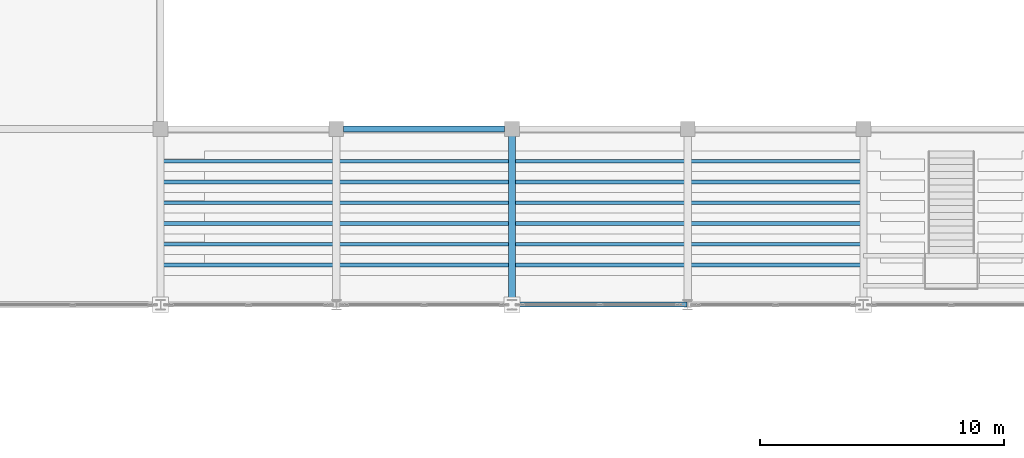
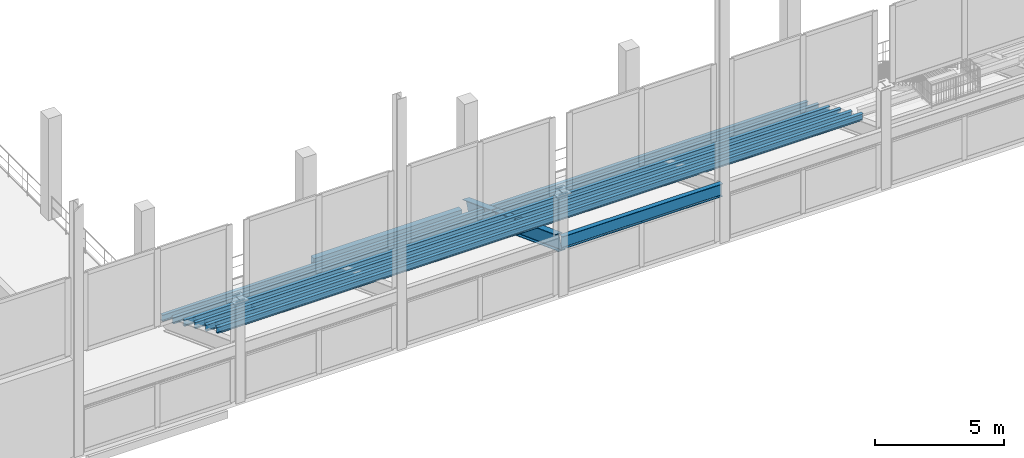
# One storey, part 21 of 120: 9 beams.
"""IFC4 building model written with IfcOpenShell, lengths in metres."""

from ifc_helpers import new_model, si_unit, direction, frame, origin, origin_2d, place, context, subcontext, project, spatial, hollow_rectangle, i_section, extrude, material, material_profile, profile_set, type_object, element, save


model = new_model("IFC4")

# Units and contexts
model_context = context("Model", 3, precision=1e-05, world=origin(), true_north=direction((0.0, 1.0)))
body_context = subcontext(model_context, "Body", "Model", "MODEL_VIEW")
ifc_project = project(units=[si_unit("LENGTHUNIT", "METRE"), si_unit("AREAUNIT", "SQUARE_METRE"), si_unit("VOLUMEUNIT", "CUBIC_METRE"), si_unit("PLANEANGLEUNIT", "RADIAN"), si_unit("MASSUNIT", "GRAM", prefix="KILO")], contexts=[model_context])

# Site, building, storey
site_placement = place(None, origin())
site = spatial("IfcSite", under=ifc_project, at=site_placement, CompositionType="ELEMENT")
building_placement = place(site_placement, origin())
building = spatial("IfcBuilding", under=site, at=building_placement, Name="Vesperath Aquatics Centre", CompositionType="ELEMENT")
storey_placement = place(building_placement, frame((0.0, 0.0, 10.199951171875)))
storey = spatial("IfcBuildingStorey", under=building, at=storey_placement, Name="L02", CompositionType="ELEMENT", Elevation=10.199951171875)

# Beams
ifc_material_1 = material(Name="Steel Q355C", Category="steel")
ifc_material_profile_1 = material_profile(ifc_material_1, i_section(OverallWidth=0.14990234375, OverallDepth=0.300048828125, WebThickness=0.006591796875, FlangeThickness=0.009033203125, FilletRadius=0.012939453125, at=origin_2d()), Name="HN 300x150x6.5x9")
ifc_profile_set_1 = profile_set([ifc_material_profile_1], Name="Steel Q355C")
beam_type_1 = type_object("IfcBeamType", Name="BM-J06", PredefinedType="JOIST", material=ifc_profile_set_1)
for number, where, z_axis, x_axis, name in (
    (1, (14.39990234375, 20.27490234375, 0.320068359375), (1.0, 0.0, 0.0), (0.0, 1.0, 0.0), "Upper Tier Bearer Beam J06 S-R1-U1M"),
    (2, (14.39990234375, 19.425048828125, 0.719970703125), (1.0, 0.0, 0.0), (0.0, 1.0, 0.0), "Upper Tier Bearer Beam J06 S-R2-U1M"),
    (3, (14.39990234375, 18.574951171875, 1.1201171875), (1.0, 0.0, 0.0), (0.0, 1.0, 0.0), "Upper Tier Bearer Beam J06 S-R3-U1M"),
    (4, (14.39990234375, 17.72509765625, 1.52001953125), (1.0, 0.0, 0.0), (0.0, 1.0, 0.0), "Upper Tier Bearer Beam J06 S-R4-U1M"),
    (5, (14.39990234375, 16.875, 1.920166015625), (1.0, 0.0, 0.0), (0.0, 1.0, 0.0), "Upper Tier Bearer Beam J06 S-R5-U1M"),
    (6, (14.39990234375, 16.02490234375, 2.320068359375), (1.0, 0.0, 0.0), (0.0, 1.0, 0.0), "Upper Tier Bearer Beam J06 S-R6-U1M"),
):
    element("IfcBeam", number, at=place(storey_placement, frame(where, z_axis=z_axis, x_axis=x_axis)), inside=storey, type_object=beam_type_1, Name=name, PredefinedType="JOIST", context=body_context, shape_type="SweptSolid", body=[
        extrude(i_section(OverallWidth=0.14990234375, OverallDepth=0.300048828125, WebThickness=0.006591796875, FlangeThickness=0.009033203125, FilletRadius=0.012939453125, at=origin_2d()), origin(), (0.0, 0.0, 1.0), 28.800048828125),
    ])
ifc_material_2 = material(Name="Steel Q355D", Category="steel")
ifc_material_profile_2 = material_profile(ifc_material_2, i_section(OverallWidth=0.300048828125, OverallDepth=0.699951171875, WebThickness=0.012939453125, FlangeThickness=0.02392578125, FilletRadius=0.028076171875, at=origin_2d()), Name="HN 700x300x13x24")
ifc_profile_set_2 = profile_set([ifc_material_profile_2], Name="Steel Q355D")
beam_type_2 = type_object("IfcBeamType", Name="BM-RK02", PredefinedType="USERDEFINED", material=ifc_profile_set_2)
beam_1_placement = place(storey_placement, frame((28.800048828125, 21.60009765625, -0.300048828125), z_axis=(0.0, -0.93632395855, 0.351137358659), x_axis=(1.0, 0.0, 0.0)))
element("IfcBeam", 7, at=beam_1_placement, inside=storey, type_object=beam_type_2, Name="Upper Stand RAKER Beam RK02 South 5", ObjectType="RAKER", PredefinedType="USERDEFINED", context=body_context, shape_type="SweptSolid", body=[
    extrude(i_section(OverallWidth=0.300048828125, OverallDepth=0.699951171875, WebThickness=0.012939453125, FlangeThickness=0.02392578125, FilletRadius=0.028076171875, at=origin_2d()), origin(), (0.0, 0.0, 1.0), 7.68994140625),
])
ifc_material_profile_3 = material_profile(ifc_material_2, i_section(OverallWidth=0.199951171875, OverallDepth=0.60009765625, WebThickness=0.010986328125, FlangeThickness=0.01708984375, FilletRadius=0.02197265625, at=origin_2d()), Name="HN 600x200x11x17")
ifc_profile_set_3 = profile_set([ifc_material_profile_3], Name="Steel Q355D")
beam_type_3 = type_object("IfcBeamType", Name="BM-RKH1", PredefinedType="BEAM", material=ifc_profile_set_3)
beam_2_placement = place(storey_placement, frame((28.820068359375, 14.39990234375, 2.400146484375), z_axis=(1.0, 0.0, 0.0), x_axis=(0.0, 1.0, 0.0)))
element("IfcBeam", 8, at=beam_2_placement, inside=storey, type_object=beam_type_3, Name="Upper Bowl Rim Girder RKH1 South 5-6", PredefinedType="BEAM", context=body_context, shape_type="SweptSolid", body=[
    extrude(i_section(OverallWidth=0.199951171875, OverallDepth=0.60009765625, WebThickness=0.010986328125, FlangeThickness=0.01708984375, FilletRadius=0.02197265625, at=origin_2d()), origin(), (0.0, 0.0, 1.0), 7.159912109375),
])
ifc_material_profile_4 = material_profile(ifc_material_2, hollow_rectangle(XDim=0.25, YDim=0.35009765625, WallThickness=0.011962890625, at=origin_2d()), Name="RHS 350x250x12")
ifc_profile_set_4 = profile_set([ifc_material_profile_4], Name="Steel Q355D")
beam_type_4 = type_object("IfcBeamType", Name="BM-SP02", PredefinedType="SPANDREL", material=ifc_profile_set_4)
beam_3_placement = place(storey_placement, frame((21.89990234375, 21.60009765625, -0.43505859375), z_axis=(1.0, 0.0, 0.0), x_axis=(0.0, 1.0, 0.0)))
element("IfcBeam", 9, at=beam_3_placement, inside=storey, type_object=beam_type_4, Name="Floor Girder SP02 L02 D 4-5", PredefinedType="SPANDREL", context=body_context, shape_type="SweptSolid", body=[
    extrude(hollow_rectangle(XDim=0.25, YDim=0.35009765625, WallThickness=0.011962890625, at=origin_2d()), origin(), (0.0, 0.0, 1.0), 6.60009765625),
])

save(model, "model.ifc")
